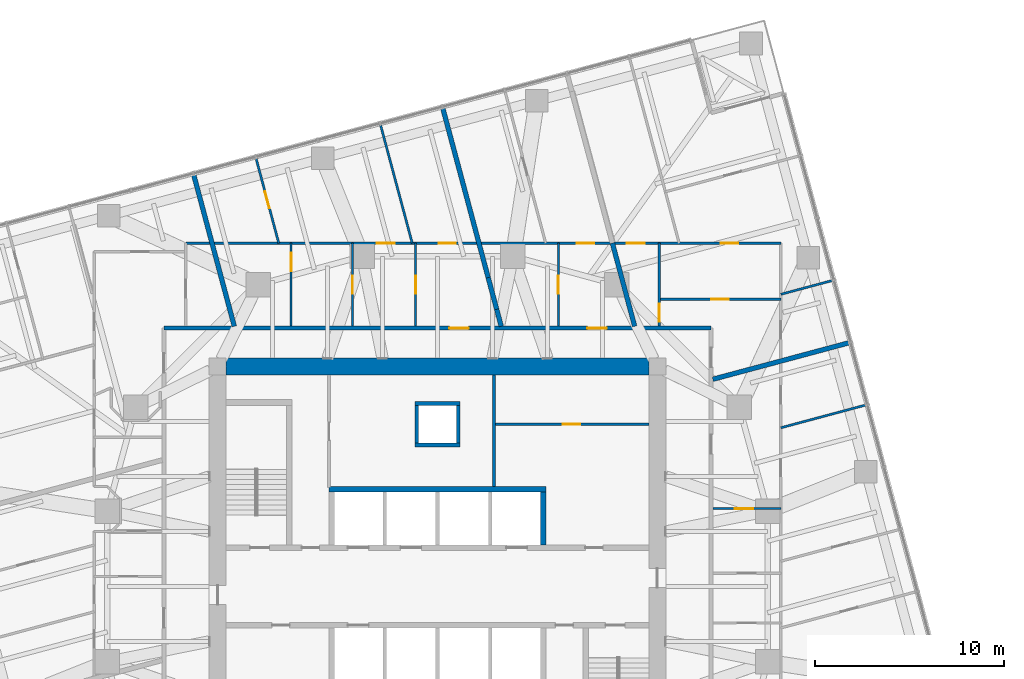
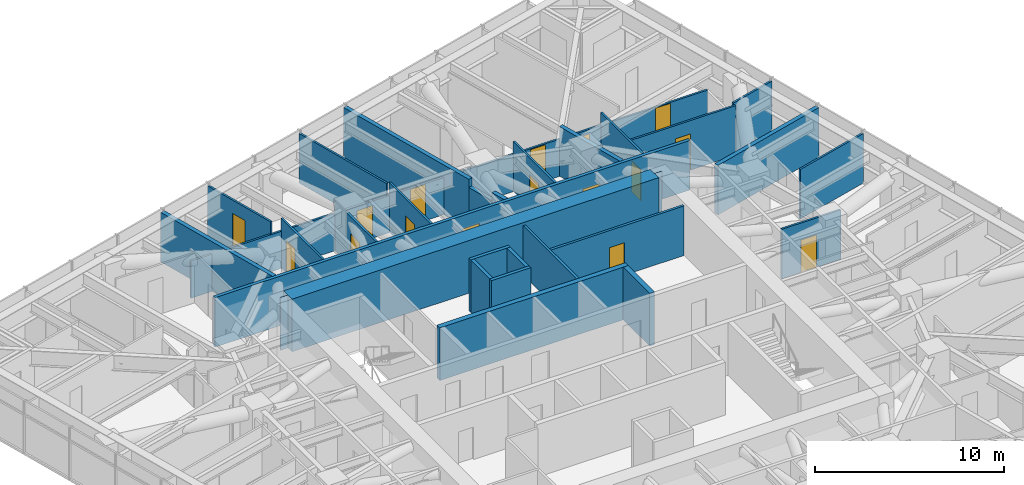
# One storey, part 15 of 18: 28 walls, 16 doors, 16 openings.
"""IFC4 building model written with IfcOpenShell, lengths in metres."""

from ifc_helpers import new_model, si_unit, direction, frame, frame_2d, origin, place, context, subcontext, project, spatial, polyline, rectangle, outline, extrude, material, layer, layer_set, type_object, element, fill, save


model = new_model("IFC4")

# Units and contexts
model_context = context("Model", 3, precision=1e-05, world=origin(), true_north=direction((0.0, 1.0)))
body_context = subcontext(model_context, "Body", "Model", "MODEL_VIEW")
ifc_project = project(units=[si_unit("LENGTHUNIT", "METRE"), si_unit("AREAUNIT", "SQUARE_METRE"), si_unit("VOLUMEUNIT", "CUBIC_METRE"), si_unit("PLANEANGLEUNIT", "RADIAN"), si_unit("MASSUNIT", "GRAM", prefix="KILO")], contexts=[model_context])

# Site, building, storey
site_placement = place(None, origin())
site = spatial("IfcSite", under=ifc_project, at=site_placement, CompositionType="ELEMENT")
building_placement = place(site_placement, origin())
building = spatial("IfcBuilding", under=site, at=building_placement, Name="Torsade Residences", CompositionType="ELEMENT")
storey_placement = place(building_placement, frame((0.0, 0.0, 135.39990234375)))
storey = spatial("IfcBuildingStorey", under=building, at=storey_placement, Name="L37", CompositionType="ELEMENT", Elevation=135.39990234375)

# Walls
ifc_material_1 = material(Name="Concrete 80 MPa", Category="concrete")
ifc_layer_1 = layer(ifc_material_1, 0.300048828125)
ifc_layer_set_1 = layer_set([ifc_layer_1], Name="Concrete 80 MPa")
wall_type_1 = type_object("IfcWallType", Name="CORE INTERNAL WALL 300", PredefinedType="SHEAR", material=ifc_layer_set_1)
wall_1_placement = place(storey_placement, frame((34.25, 35.14990234375, 0.0), z_axis=(0.0, 0.0, 1.0), x_axis=(1.0, 0.0, 0.0)))
element("IfcWall", 1, at=wall_1_placement, inside=storey, type_object=wall_type_1, Name="Core wall BN L37", PredefinedType="SHEAR", context=body_context, shape_type="SweptSolid", body=[
    extrude(rectangle(XDim=11.5, YDim=0.300048828125, at=frame_2d((5.75, 0.0))), origin(), (0.0, 0.0, 1.0), 3.400146484375),
])
wall_2_placement = place(storey_placement, frame((45.60009765625, 32.199951171875, 0.0), z_axis=(0.0, 0.0, 1.0), x_axis=(0.0, 1.0, 0.0)))
element("IfcWall", 2, at=wall_2_placement, inside=storey, type_object=wall_type_1, Name="Core wall DN4 L37", PredefinedType="SHEAR", context=body_context, shape_type="SweptSolid", body=[
    extrude(rectangle(XDim=2.800048828125, YDim=0.300048828125, at=frame_2d((1.39990234375, 0.0))), origin(), (0.0, 0.0, 1.0), 3.400146484375),
])
ifc_material_2 = material(Name="Concrete 80 MPa", Category="concrete")
ifc_layer_2 = layer(ifc_material_2, 0.89990234375)
ifc_layer_set_2 = layer_set([ifc_layer_2], Name="Concrete 80 MPa")
wall_type_2 = type_object("IfcWallType", Name="CORE WALL 900", PredefinedType="SHEAR", material=ifc_layer_set_2)
wall_3_placement = place(storey_placement, frame((28.800048828125, 41.64990234375, 0.0), z_axis=(0.0, 0.0, 1.0), x_axis=(1.0, 0.0, 0.0)))
element("IfcWall", 3, at=wall_3_placement, inside=storey, type_object=wall_type_2, Name="Core wall N L37", PredefinedType="SHEAR", context=body_context, shape_type="SweptSolid", body=[
    extrude(outline(polyline([(0.0, -0.449951171875), (22.39990234375, -0.449951171875), (22.39990234375, -0.02490234375), (22.849853515625, -0.02490234375), (22.849853515625, 0.02490234375), (22.39990234375, 0.02490234375), (22.39990234375, 0.449951171875), (0.0, 0.449951171875), (0.0, 0.02490234375), (-0.449951171875, 0.02490234375), (-0.449951171875, -0.02490234375), (0.0, -0.02490234375), (0.0, -0.449951171875)])), origin(), (0.0, 0.0, 1.0), 3.400146484375),
])

# Wall, openings, doors
ifc_material_3 = material(Name="Plasterboard on steel stud", Category="steel")
ifc_layer_3 = layer(ifc_material_3, 0.199951171875)
ifc_layer_set_3 = layer_set([ifc_layer_3], Name="Plasterboard on steel stud")
wall_type_3 = type_object("IfcWallType", Name="CORRIDOR WALL 200", PredefinedType="PARTITIONING", material=ifc_layer_set_3)
wall_4_placement = place(storey_placement, frame((54.5, 43.699951171875, 0.0), z_axis=(0.0, 0.0, 1.0), x_axis=(-1.0, 0.0, 0.0)))
wall_4 = element("IfcWall", 4, at=wall_4_placement, inside=storey, type_object=wall_type_3, Name="Corridor wall L37", PredefinedType="PARTITIONING", context=body_context, shape_type="SweptSolid", body=[
    extrude(rectangle(XDim=29.0, YDim=0.199951171875, at=frame_2d((14.5, 0.0))), origin(), (0.0, 0.0, 1.0), 3.2001953125),
])
opening_1_placement = place(wall_4_placement, frame((12.85205078125, 0.0, 0.0)))
opening_1 = element("IfcOpeningElement", 5, at=opening_1_placement, cuts=wall_4, Name="Opening D01", PredefinedType="OPENING", context=body_context, shape_type="SweptSolid", body=[
    extrude(rectangle(XDim=1.02001953125, YDim=2.340087890625, at=frame_2d((0.510009765625, 1.169921875))), frame((0.0, 0.10986328125, 0.0), z_axis=(0.0, -1.0, 0.0), x_axis=(1.0, 0.0, 0.0)), (0.0, 0.0, 1.0), 0.219970703125),
])
opening_2_placement = place(wall_4_placement, frame((5.529296875, 0.0, 0.0)))
opening_2 = element("IfcOpeningElement", 6, at=opening_2_placement, cuts=wall_4, Name="Opening D01", PredefinedType="OPENING", context=body_context, shape_type="SweptSolid", body=[
    extrude(rectangle(XDim=1.02001953125, YDim=2.340087890625, at=frame_2d((0.510009765625, 1.169921875))), frame((0.0, 0.10986328125, 0.0), z_axis=(0.0, -1.0, 0.0), x_axis=(1.0, 0.0, 0.0)), (0.0, 0.0, 1.0), 0.219970703125),
])
ifc_material_4 = material(Name="Solid-core timber fire door", Category="wood")
door_type_1 = type_object("IfcDoorType", Name="APARTMENT ENTRY DOOR 1020x2340", OperationType="NOTDEFINED", PredefinedType="DOOR", material=ifc_material_4)
door_1_placement = place(opening_1_placement, origin())
door_1 = element("IfcDoor", 7, at=door_1_placement, inside=storey, type_object=door_type_1, Name="Door Residential corridor to Kitchen and dining", OperationType="SINGLE_SWING_LEFT", OverallHeight=2.340087890625, OverallWidth=1.02001953125, PredefinedType="DOOR", context=body_context, shape_type="SweptSolid", body=[
    extrude(rectangle(XDim=1.02001953125, YDim=2.340087890625, at=frame_2d((0.510009765625, 1.169921875))), frame((0.0, 0.02490234375, 0.0), z_axis=(0.0, -1.0, 0.0), x_axis=(1.0, 0.0, 0.0)), (0.0, 0.0, 1.0), 0.050048828125),
])
fill(opening_1, door_1)
door_2_placement = place(opening_2_placement, origin())
door_2 = element("IfcDoor", 8, at=door_2_placement, inside=storey, type_object=door_type_1, Name="Door Residential corridor to Kitchen and dining", OperationType="SINGLE_SWING_LEFT", OverallHeight=2.340087890625, OverallWidth=1.02001953125, PredefinedType="DOOR", context=body_context, shape_type="SweptSolid", body=[
    extrude(rectangle(XDim=1.02001953125, YDim=2.340087890625, at=frame_2d((0.510009765625, 1.169921875))), frame((0.0, 0.02490234375, 0.0), z_axis=(0.0, -1.0, 0.0), x_axis=(1.0, 0.0, 0.0)), (0.0, 0.0, 1.0), 0.050048828125),
])
fill(opening_2, door_2)

# Wall, opening, door
ifc_material_5 = material(Name="Plasterboard on steel stud", Category="steel")
ifc_layer_4 = layer(ifc_material_5, 0.1201171875)
ifc_layer_set_4 = layer_set([ifc_layer_4], Name="Plasterboard on steel stud")
wall_type_4 = type_object("IfcWallType", Name="PARTITION 120", PredefinedType="PARTITIONING", material=ifc_layer_set_4)
wall_5_placement = place(storey_placement, frame((58.199951171875, 34.13134765625, 0.0), z_axis=(0.0, 0.0, 1.0), x_axis=(-1.0, 0.0, 0.0)))
wall_5 = element("IfcWall", 9, at=wall_5_placement, inside=storey, type_object=wall_type_4, Name="Partition L37", PredefinedType="PARTITIONING", context=body_context, shape_type="SweptSolid", body=[
    extrude(rectangle(XDim=3.599853515625, YDim=0.1201171875, at=frame_2d((1.7998046875, 0.0))), origin(), (0.0, 0.0, 1.0), 3.2001953125),
])
opening_3_placement = place(wall_5_placement, frame((1.469970703125, 0.0, 0.0)))
opening_3 = element("IfcOpeningElement", 10, at=opening_3_placement, cuts=wall_5, Name="Opening D05", PredefinedType="OPENING", context=body_context, shape_type="SweptSolid", body=[
    extrude(rectangle(XDim=0.9599609375, YDim=2.10009765625, at=frame_2d((0.47998046875, 1.050048828125))), frame((0.0, 0.070068359375, 0.0), z_axis=(0.0, -1.0, 0.0), x_axis=(1.0, 0.0, 0.0)), (0.0, 0.0, 1.0), 0.14013671875),
])
ifc_material_6 = material(Name="Hollow-core timber door in a steel cavity frame", Category="steel")
door_type_2 = type_object("IfcDoorType", Name="BATHROOM CAVITY SLIDING DOOR 960", OperationType="SLIDING_TO_LEFT", PredefinedType="DOOR", material=ifc_material_6)
door_3_placement = place(opening_3_placement, origin())
door_3 = element("IfcDoor", 11, at=door_3_placement, inside=storey, type_object=door_type_2, Name="Door Kitchen and dining to Ensuite", OperationType="SLIDING_TO_LEFT", OverallHeight=2.10009765625, OverallWidth=0.9599609375, PredefinedType="DOOR", context=body_context, shape_type="SweptSolid", body=[
    extrude(rectangle(XDim=0.9599609375, YDim=2.10009765625, at=frame_2d((0.47998046875, 1.050048828125))), frame((0.0, 0.02490234375, 0.0), z_axis=(0.0, -1.0, 0.0), x_axis=(1.0, 0.0, 0.0)), (0.0, 0.0, 1.0), 0.050048828125),
])
fill(opening_3, door_3)

# Wall
wall_6_placement = place(storey_placement, frame((58.199951171875, 38.413818359375, 0.0), z_axis=(0.0, 0.0, 1.0), x_axis=(0.965928353663, 0.258809612631, 0.0)))
element("IfcWall", 12, at=wall_6_placement, inside=storey, type_object=wall_type_4, Name="Partition L37", PredefinedType="PARTITIONING", context=body_context, shape_type="SweptSolid", body=[
    extrude(rectangle(XDim=4.702392578125, YDim=0.1201171875, at=frame_2d((2.35107421875, 0.0))), origin(), (0.0, 0.0, 1.0), 3.2001953125),
])

# Wall, opening, door
wall_7_placement = place(storey_placement, frame((51.7509765625, 45.22802734375, 0.0), z_axis=(0.0, 0.0, 1.0), x_axis=(1.0, 0.0, 0.0)))
wall_7 = element("IfcWall", 13, at=wall_7_placement, inside=storey, type_object=wall_type_4, Name="Partition L37", PredefinedType="PARTITIONING", context=body_context, shape_type="SweptSolid", body=[
    extrude(rectangle(XDim=6.448974609375, YDim=0.1201171875, at=frame_2d((3.224609375, 0.0))), origin(), (0.0, 0.0, 1.0), 3.2001953125),
])
opening_4_placement = place(wall_7_placement, frame((2.764404296875, 0.0, 0.0)))
opening_4 = element("IfcOpeningElement", 14, at=opening_4_placement, cuts=wall_7, Name="Opening D02", PredefinedType="OPENING", context=body_context, shape_type="SweptSolid", body=[
    extrude(rectangle(XDim=0.919921875, YDim=2.340087890625, at=frame_2d((0.4599609375, 1.169921875))), frame((0.0, 0.070068359375, 0.0), z_axis=(0.0, -1.0, 0.0), x_axis=(1.0, 0.0, 0.0)), (0.0, 0.0, 1.0), 0.14013671875),
])
ifc_material_7 = material(Name="Hollow-core timber door", Category="wood")
door_type_3 = type_object("IfcDoorType", Name="INTERNAL DOOR 920x2340", OperationType="NOTDEFINED", PredefinedType="DOOR", material=ifc_material_7)
door_4_placement = place(opening_4_placement, origin())
door_4 = element("IfcDoor", 15, at=door_4_placement, inside=storey, type_object=door_type_3, Name="Door Kitchen and dining to Scullery", OperationType="SINGLE_SWING_RIGHT", OverallHeight=2.340087890625, OverallWidth=0.919921875, PredefinedType="DOOR", context=body_context, shape_type="SweptSolid", body=[
    extrude(rectangle(XDim=0.919921875, YDim=2.340087890625, at=frame_2d((0.4599609375, 1.169921875))), frame((0.0, 0.02490234375, 0.0), z_axis=(0.0, -1.0, 0.0), x_axis=(1.0, 0.0, 0.0)), (0.0, 0.0, 1.0), 0.050048828125),
])
fill(opening_4, door_4)

wall_8_placement = place(storey_placement, frame((51.7509765625, 43.800048828125, 0.0), z_axis=(0.0, 0.0, 1.0), x_axis=(0.0, 1.0, 0.0)))
wall_8 = element("IfcWall", 16, at=wall_8_placement, inside=storey, type_object=wall_type_4, Name="Partition L37", PredefinedType="PARTITIONING", context=body_context, shape_type="SweptSolid", body=[
    extrude(rectangle(XDim=4.39990234375, YDim=0.1201171875, at=frame_2d((2.199951171875, 0.0))), origin(), (0.0, 0.0, 1.0), 3.2001953125),
])
opening_5_placement = place(wall_8_placement, frame((0.23388671875, 0.0, 0.0)))
opening_5 = element("IfcOpeningElement", 17, at=opening_5_placement, cuts=wall_8, Name="Opening D05N", PredefinedType="OPENING", context=body_context, shape_type="SweptSolid", body=[
    extrude(rectangle(XDim=0.9599609375, YDim=2.0, at=frame_2d((0.47998046875, 1.0))), frame((0.0, 0.070068359375, 0.0), z_axis=(0.0, -1.0, 0.0), x_axis=(1.0, 0.0, 0.0)), (0.0, 0.0, 1.0), 0.14013671875),
])
ifc_material_8 = material(Name="Hollow-core timber door in a steel cavity frame", Category="steel")
door_type_4 = type_object("IfcDoorType", Name="BATHROOM CAVITY SLIDING DOOR 960x2000", OperationType="SLIDING_TO_LEFT", PredefinedType="DOOR", material=ifc_material_8)
door_5_placement = place(opening_5_placement, origin())
door_5 = element("IfcDoor", 18, at=door_5_placement, inside=storey, type_object=door_type_4, Name="Door Kitchen and dining to Bathroom", OperationType="SLIDING_TO_LEFT", OverallHeight=2.0, OverallWidth=0.9599609375, PredefinedType="DOOR", context=body_context, shape_type="SweptSolid", body=[
    extrude(rectangle(XDim=0.9599609375, YDim=2.0, at=frame_2d((0.47998046875, 1.0))), frame((0.0, 0.02490234375, 0.0), z_axis=(0.0, -1.0, 0.0), x_axis=(1.0, 0.0, 0.0)), (0.0, 0.0, 1.0), 0.050048828125),
])
fill(opening_5, door_5)

# Wall, openings, doors
wall_9_placement = place(storey_placement, frame((26.65673828125, 48.199951171875, 0.0), z_axis=(0.0, 0.0, 1.0), x_axis=(1.0, 0.0, 0.0)))
wall_9 = element("IfcWall", 19, at=wall_9_placement, inside=storey, type_object=wall_type_4, Name="Partition L37", PredefinedType="PARTITIONING", context=body_context, shape_type="SweptSolid", body=[
    extrude(rectangle(XDim=31.543212890625, YDim=0.1201171875, at=frame_2d((15.771484375, 0.0))), origin(), (0.0, 0.0, 1.0), 2.399169921875),
])
opening_6_placement = place(wall_9_placement, frame((13.400390625, 0.0, 0.0)))
opening_6 = element("IfcOpeningElement", 20, at=opening_6_placement, cuts=wall_9, Name="Opening D02", PredefinedType="OPENING", context=body_context, shape_type="SweptSolid", body=[
    extrude(rectangle(XDim=0.919921875, YDim=2.340087890625, at=frame_2d((0.4599609375, 1.169921875))), frame((0.0, 0.070068359375, 0.0), z_axis=(0.0, -1.0, 0.0), x_axis=(1.0, 0.0, 0.0)), (0.0, 0.0, 1.0), 0.14013671875),
])
opening_7_placement = place(wall_9_placement, frame((20.723388671875, 0.0, 0.0)))
opening_7 = element("IfcOpeningElement", 21, at=opening_7_placement, cuts=wall_9, Name="Opening D02", PredefinedType="OPENING", context=body_context, shape_type="SweptSolid", body=[
    extrude(rectangle(XDim=0.919921875, YDim=2.340087890625, at=frame_2d((0.4599609375, 1.169921875))), frame((0.0, 0.070068359375, 0.0), z_axis=(0.0, -1.0, 0.0), x_axis=(1.0, 0.0, 0.0)), (0.0, 0.0, 1.0), 0.14013671875),
])
opening_8_placement = place(wall_9_placement, frame((10.11669921875, 0.0, 0.0)))
opening_8 = element("IfcOpeningElement", 22, at=opening_8_placement, cuts=wall_9, Name="Opening D05", PredefinedType="OPENING", context=body_context, shape_type="SweptSolid", body=[
    extrude(rectangle(XDim=0.9599609375, YDim=2.10009765625, at=frame_2d((0.47998046875, 1.050048828125))), frame((0.0, 0.070068359375, 0.0), z_axis=(0.0, -1.0, 0.0), x_axis=(1.0, 0.0, 0.0)), (0.0, 0.0, 1.0), 0.14013671875),
])
opening_9_placement = place(wall_9_placement, frame((28.362060546875, 0.0, 0.0)))
opening_9 = element("IfcOpeningElement", 23, at=opening_9_placement, cuts=wall_9, Name="Opening D02", PredefinedType="OPENING", context=body_context, shape_type="SweptSolid", body=[
    extrude(rectangle(XDim=0.919921875, YDim=2.340087890625, at=frame_2d((0.4599609375, 1.169921875))), frame((0.0, 0.070068359375, 0.0), z_axis=(0.0, -1.0, 0.0), x_axis=(1.0, 0.0, 0.0)), (0.0, 0.0, 1.0), 0.14013671875),
])
opening_10_placement = place(wall_9_placement, frame((23.374755859375, 0.0, 0.0)))
opening_10 = element("IfcOpeningElement", 24, at=opening_10_placement, cuts=wall_9, Name="Opening D05", PredefinedType="OPENING", context=body_context, shape_type="SweptSolid", body=[
    extrude(rectangle(XDim=0.9599609375, YDim=2.10009765625, at=frame_2d((0.47998046875, 1.050048828125))), frame((0.0, 0.070068359375, 0.0), z_axis=(0.0, -1.0, 0.0), x_axis=(1.0, 0.0, 0.0)), (0.0, 0.0, 1.0), 0.14013671875),
])
door_6_placement = place(opening_8_placement, origin())
door_6 = element("IfcDoor", 25, at=door_6_placement, inside=storey, type_object=door_type_2, Name="Door Bathroom to Living room", OperationType="SLIDING_TO_LEFT", OverallHeight=2.10009765625, OverallWidth=0.9599609375, PredefinedType="DOOR", context=body_context, shape_type="SweptSolid", body=[
    extrude(rectangle(XDim=0.9599609375, YDim=2.10009765625, at=frame_2d((0.47998046875, 1.050048828125))), frame((0.0, 0.02490234375, 0.0), z_axis=(0.0, -1.0, 0.0), x_axis=(1.0, 0.0, 0.0)), (0.0, 0.0, 1.0), 0.050048828125),
])
fill(opening_8, door_6)
door_7_placement = place(opening_10_placement, origin())
door_7 = element("IfcDoor", 26, at=door_7_placement, inside=storey, type_object=door_type_2, Name="Door Bathroom to Bedroom 2", OperationType="SLIDING_TO_LEFT", OverallHeight=2.10009765625, OverallWidth=0.9599609375, PredefinedType="DOOR", context=body_context, shape_type="SweptSolid", body=[
    extrude(rectangle(XDim=0.9599609375, YDim=2.10009765625, at=frame_2d((0.47998046875, 1.050048828125))), frame((0.0, 0.02490234375, 0.0), z_axis=(0.0, -1.0, 0.0), x_axis=(1.0, 0.0, 0.0)), (0.0, 0.0, 1.0), 0.050048828125),
])
fill(opening_10, door_7)
door_8_placement = place(opening_6_placement, origin())
door_8 = element("IfcDoor", 27, at=door_8_placement, inside=storey, type_object=door_type_3, Name="Door Kitchen and dining to Bedroom 1", OperationType="SINGLE_SWING_RIGHT", OverallHeight=2.340087890625, OverallWidth=0.919921875, PredefinedType="DOOR", context=body_context, shape_type="SweptSolid", body=[
    extrude(rectangle(XDim=0.919921875, YDim=2.340087890625, at=frame_2d((0.4599609375, 1.169921875))), frame((0.0, 0.02490234375, 0.0), z_axis=(0.0, -1.0, 0.0), x_axis=(1.0, 0.0, 0.0)), (0.0, 0.0, 1.0), 0.050048828125),
])
fill(opening_6, door_8)
door_9_placement = place(opening_7_placement, origin())
door_9 = element("IfcDoor", 28, at=door_9_placement, inside=storey, type_object=door_type_3, Name="Door Kitchen and dining to Living room", OperationType="SINGLE_SWING_RIGHT", OverallHeight=2.340087890625, OverallWidth=0.919921875, PredefinedType="DOOR", context=body_context, shape_type="SweptSolid", body=[
    extrude(rectangle(XDim=0.919921875, YDim=2.340087890625, at=frame_2d((0.4599609375, 1.169921875))), frame((0.0, 0.02490234375, 0.0), z_axis=(0.0, -1.0, 0.0), x_axis=(1.0, 0.0, 0.0)), (0.0, 0.0, 1.0), 0.050048828125),
])
fill(opening_7, door_9)
door_10_placement = place(opening_9_placement, origin())
door_10 = element("IfcDoor", 29, at=door_10_placement, inside=storey, type_object=door_type_3, Name="Door Scullery to Bedroom 1", OperationType="SINGLE_SWING_LEFT", OverallHeight=2.340087890625, OverallWidth=0.919921875, PredefinedType="DOOR", context=body_context, shape_type="SweptSolid", body=[
    extrude(rectangle(XDim=0.919921875, YDim=2.340087890625, at=frame_2d((0.4599609375, 1.169921875))), frame((0.0, 0.02490234375, 0.0), z_axis=(0.0, -1.0, 0.0), x_axis=(1.0, 0.0, 0.0)), (0.0, 0.0, 1.0), 0.050048828125),
])
fill(opening_9, door_10)

# Wall
wall_10_placement = place(storey_placement, frame((60.9736328125, 46.2314453125, 0.0), z_axis=(0.0, 0.0, 1.0), x_axis=(-0.965929456086, -0.258805498136, 0.0)))
element("IfcWall", 30, at=wall_10_placement, inside=storey, type_object=wall_type_4, Name="Partition L37", PredefinedType="PARTITIONING", context=body_context, shape_type="SweptSolid", body=[
    extrude(rectangle(XDim=2.87158203125, YDim=0.1201171875, at=frame_2d((1.435791015625, 0.0))), origin(), (0.0, 0.0, 1.0), 3.2001953125),
])

# Wall, opening, door
wall_11_placement = place(storey_placement, frame((46.408203125, 43.800048828125, 0.0), z_axis=(0.0, 0.0, 1.0), x_axis=(0.0, 1.0, 0.0)))
wall_11 = element("IfcWall", 31, at=wall_11_placement, inside=storey, type_object=wall_type_4, Name="Partition L37", PredefinedType="PARTITIONING", context=body_context, shape_type="SweptSolid", body=[
    extrude(rectangle(XDim=4.39990234375, YDim=0.1201171875, at=frame_2d((2.199951171875, 0.0))), origin(), (0.0, 0.0, 1.0), 3.2001953125),
])
opening_11_placement = place(wall_11_placement, frame((1.719970703125, 0.0, 0.0)))
opening_11 = element("IfcOpeningElement", 32, at=opening_11_placement, cuts=wall_11, Name="Opening D05", PredefinedType="OPENING", context=body_context, shape_type="SweptSolid", body=[
    extrude(rectangle(XDim=0.9599609375, YDim=2.10009765625, at=frame_2d((0.47998046875, 1.050048828125))), frame((0.0, 0.070068359375, 0.0), z_axis=(0.0, -1.0, 0.0), x_axis=(1.0, 0.0, 0.0)), (0.0, 0.0, 1.0), 0.14013671875),
])
door_11_placement = place(opening_11_placement, origin())
door_11 = element("IfcDoor", 33, at=door_11_placement, inside=storey, type_object=door_type_2, Name="Door Kitchen and dining to Bathroom", OperationType="SLIDING_TO_LEFT", OverallHeight=2.10009765625, OverallWidth=0.9599609375, PredefinedType="DOOR", context=body_context, shape_type="SweptSolid", body=[
    extrude(rectangle(XDim=0.9599609375, YDim=2.10009765625, at=frame_2d((0.47998046875, 1.050048828125))), frame((0.0, 0.02490234375, 0.0), z_axis=(0.0, -1.0, 0.0), x_axis=(1.0, 0.0, 0.0)), (0.0, 0.0, 1.0), 0.050048828125),
])
fill(opening_11, door_11)

wall_12_placement = place(storey_placement, frame((38.8369140625, 43.800048828125, 0.0), z_axis=(0.0, 0.0, 1.0), x_axis=(0.0, 1.0, 0.0)))
wall_12 = element("IfcWall", 34, at=wall_12_placement, inside=storey, type_object=wall_type_4, Name="Partition L37", PredefinedType="PARTITIONING", context=body_context, shape_type="SweptSolid", body=[
    extrude(rectangle(XDim=4.39990234375, YDim=0.1201171875, at=frame_2d((2.199951171875, 0.0))), origin(), (0.0, 0.0, 1.0), 3.2001953125),
])
opening_12_placement = place(wall_12_placement, frame((1.719970703125, 0.0, 0.0)))
opening_12 = element("IfcOpeningElement", 35, at=opening_12_placement, cuts=wall_12, Name="Opening D05", PredefinedType="OPENING", context=body_context, shape_type="SweptSolid", body=[
    extrude(rectangle(XDim=0.9599609375, YDim=2.10009765625, at=frame_2d((0.47998046875, 1.050048828125))), frame((0.0, 0.070068359375, 0.0), z_axis=(0.0, -1.0, 0.0), x_axis=(1.0, 0.0, 0.0)), (0.0, 0.0, 1.0), 0.14013671875),
])
door_12_placement = place(opening_12_placement, origin())
door_12 = element("IfcDoor", 36, at=door_12_placement, inside=storey, type_object=door_type_2, Name="Door Kitchen and dining to Bathroom", OperationType="SLIDING_TO_LEFT", OverallHeight=2.10009765625, OverallWidth=0.9599609375, PredefinedType="DOOR", context=body_context, shape_type="SweptSolid", body=[
    extrude(rectangle(XDim=0.9599609375, YDim=2.10009765625, at=frame_2d((0.47998046875, 1.050048828125))), frame((0.0, 0.02490234375, 0.0), z_axis=(0.0, -1.0, 0.0), x_axis=(1.0, 0.0, 0.0)), (0.0, 0.0, 1.0), 0.050048828125),
])
fill(opening_12, door_12)

wall_13_placement = place(storey_placement, frame((35.494384765625, 43.800048828125, 0.0), z_axis=(0.0, 0.0, 1.0), x_axis=(0.0, 1.0, 0.0)))
wall_13 = element("IfcWall", 37, at=wall_13_placement, inside=storey, type_object=wall_type_4, Name="Partition L37", PredefinedType="PARTITIONING", context=body_context, shape_type="SweptSolid", body=[
    extrude(rectangle(XDim=4.39990234375, YDim=0.1201171875, at=frame_2d((2.199951171875, 0.0))), origin(), (0.0, 0.0, 1.0), 3.2001953125),
])
opening_13_placement = place(wall_13_placement, frame((1.719970703125, 0.0, 0.0)))
opening_13 = element("IfcOpeningElement", 38, at=opening_13_placement, cuts=wall_13, Name="Opening D05", PredefinedType="OPENING", context=body_context, shape_type="SweptSolid", body=[
    extrude(rectangle(XDim=0.9599609375, YDim=2.10009765625, at=frame_2d((0.47998046875, 1.050048828125))), frame((0.0, 0.070068359375, 0.0), z_axis=(0.0, -1.0, 0.0), x_axis=(1.0, 0.0, 0.0)), (0.0, 0.0, 1.0), 0.14013671875),
])
door_13_placement = place(opening_13_placement, origin())
door_13 = element("IfcDoor", 39, at=door_13_placement, inside=storey, type_object=door_type_2, Name="Door Bathroom to Ensuite", OperationType="SLIDING_TO_LEFT", OverallHeight=2.10009765625, OverallWidth=0.9599609375, PredefinedType="DOOR", context=body_context, shape_type="SweptSolid", body=[
    extrude(rectangle(XDim=0.9599609375, YDim=2.10009765625, at=frame_2d((0.47998046875, 1.050048828125))), frame((0.0, 0.02490234375, 0.0), z_axis=(0.0, -1.0, 0.0), x_axis=(1.0, 0.0, 0.0)), (0.0, 0.0, 1.0), 0.050048828125),
])
fill(opening_13, door_13)

wall_14_placement = place(storey_placement, frame((32.238525390625, 43.800048828125, 0.0), z_axis=(0.0, 0.0, 1.0), x_axis=(0.0, 1.0, 0.0)))
wall_14 = element("IfcWall", 40, at=wall_14_placement, inside=storey, type_object=wall_type_4, Name="Partition L37", PredefinedType="PARTITIONING", context=body_context, shape_type="SweptSolid", body=[
    extrude(rectangle(XDim=4.39990234375, YDim=0.1201171875, at=frame_2d((2.199951171875, 0.0))), origin(), (0.0, 0.0, 1.0), 3.2001953125),
])
opening_14_placement = place(wall_14_placement, frame((2.919921875, 0.0, 0.0)))
opening_14 = element("IfcOpeningElement", 41, at=opening_14_placement, cuts=wall_14, Name="Opening D05", PredefinedType="OPENING", context=body_context, shape_type="SweptSolid", body=[
    extrude(rectangle(XDim=0.9599609375, YDim=2.10009765625, at=frame_2d((0.47998046875, 1.050048828125))), frame((0.0, 0.070068359375, 0.0), z_axis=(0.0, -1.0, 0.0), x_axis=(1.0, 0.0, 0.0)), (0.0, 0.0, 1.0), 0.14013671875),
])
door_14_placement = place(opening_14_placement, origin())
door_14 = element("IfcDoor", 42, at=door_14_placement, inside=storey, type_object=door_type_2, Name="Door Ensuite to Laundry", OperationType="SLIDING_TO_LEFT", OverallHeight=2.10009765625, OverallWidth=0.9599609375, PredefinedType="DOOR", context=body_context, shape_type="SweptSolid", body=[
    extrude(rectangle(XDim=0.9599609375, YDim=2.10009765625, at=frame_2d((0.47998046875, 1.050048828125))), frame((0.0, 0.02490234375, 0.0), z_axis=(0.0, -1.0, 0.0), x_axis=(1.0, 0.0, 0.0)), (0.0, 0.0, 1.0), 0.050048828125),
])
fill(opening_14, door_14)

# Wall
wall_15_placement = place(storey_placement, frame((36.969482421875, 54.5107421875, 0.0), z_axis=(0.0, 0.0, 1.0), x_axis=(0.258846285554, -0.96591852682, 0.0)))
element("IfcWall", 43, at=wall_15_placement, inside=storey, type_object=wall_type_4, Name="Partition L37", PredefinedType="PARTITIONING", context=body_context, shape_type="SweptSolid", body=[
    extrude(rectangle(XDim=6.533447265625, YDim=0.1201171875, at=frame_2d((3.2666015625, 0.0))), origin(), (0.0, 0.0, 1.0), 3.2001953125),
])

# Wall, opening, door
wall_16_placement = place(storey_placement, frame((31.586181640625, 48.199951171875, 0.0), z_axis=(0.0, 0.0, 1.0), x_axis=(-0.258809612631, 0.965928353663, 0.0)))
wall_16 = element("IfcWall", 44, at=wall_16_placement, inside=storey, type_object=wall_type_4, Name="Partition L37", PredefinedType="PARTITIONING", context=body_context, shape_type="SweptSolid", body=[
    extrude(rectangle(XDim=4.702392578125, YDim=0.1201171875, at=frame_2d((2.35107421875, 0.0))), origin(), (0.0, 0.0, 1.0), 3.2001953125),
])
opening_15_placement = place(wall_16_placement, frame((1.9111328125, 0.0, 0.0)))
opening_15 = element("IfcOpeningElement", 45, at=opening_15_placement, cuts=wall_16, Name="Opening D02", PredefinedType="OPENING", context=body_context, shape_type="SweptSolid", body=[
    extrude(rectangle(XDim=0.919921875, YDim=2.340087890625, at=frame_2d((0.4599609375, 1.169921875))), frame((0.0, 0.070068359375, 0.0), z_axis=(0.0, -1.0, 0.0), x_axis=(1.0, 0.0, 0.0)), (0.0, 0.0, 1.0), 0.14013671875),
])
door_15_placement = place(opening_15_placement, origin())
door_15 = element("IfcDoor", 46, at=door_15_placement, inside=storey, type_object=door_type_3, Name="Door Living room to Bedroom 2", OperationType="SINGLE_SWING_LEFT", OverallHeight=2.340087890625, OverallWidth=0.919921875, PredefinedType="DOOR", context=body_context, shape_type="SweptSolid", body=[
    extrude(rectangle(XDim=0.919921875, YDim=2.340087890625, at=frame_2d((0.4599609375, 1.169921875))), frame((0.0, 0.02490234375, 0.0), z_axis=(0.0, -1.0, 0.0), x_axis=(1.0, 0.0, 0.0)), (0.0, 0.0, 1.0), 0.050048828125),
])
fill(opening_15, door_15)

# Walls
ifc_material_9 = material(Name="Masonry-lined stud party wall", Category="masonry")
ifc_layer_5 = layer(ifc_material_9, 0.25)
ifc_layer_set_5 = layer_set([ifc_layer_5], Name="Masonry-lined stud party wall")
wall_type_5 = type_object("IfcWallType", Name="PARTY WALL 250", PredefinedType="PARTITIONING", material=ifc_layer_set_5)
wall_17_placement = place(storey_placement, frame((61.896484375, 42.941650390625, 0.0), z_axis=(0.0, 0.0, 1.0), x_axis=(-0.965924988656, -0.258822171171, 0.0)))
element("IfcWall", 47, at=wall_17_placement, inside=storey, type_object=wall_type_5, Name="Party wall L37", PredefinedType="PARTITIONING", context=body_context, shape_type="SweptSolid", body=[
    extrude(rectangle(XDim=7.560302734375, YDim=0.25, at=frame_2d((3.7802734375, 0.0))), origin(), (0.0, 0.0, 1.0), 3.2001953125),
])
wall_18_placement = place(storey_placement, frame((40.259521484375, 55.433837890625, 0.0), z_axis=(0.0, 0.0, 1.0), x_axis=(0.258809371168, -0.96592841836, 0.0)))
element("IfcWall", 48, at=wall_18_placement, inside=storey, type_object=wall_type_5, Name="Party wall L37", PredefinedType="PARTITIONING", context=body_context, shape_type="SweptSolid", body=[
    extrude(rectangle(XDim=9.38037109375, YDim=0.25, at=frame_2d((4.690185546875, 0.0))), origin(), (0.0, 0.0, 1.0), 3.2001953125),
])
wall_19_placement = place(storey_placement, frame((42.687255859375, 46.373046875, 0.0), z_axis=(0.0, 0.0, 1.0), x_axis=(0.258771138461, -0.965938661562, 0.0)))
element("IfcWall", 49, at=wall_19_placement, inside=storey, type_object=wall_type_5, Name="Party wall L37", PredefinedType="PARTITIONING", context=body_context, shape_type="SweptSolid", body=[
    extrude(rectangle(XDim=1.74072265625, YDim=0.25, at=frame_2d((0.870361328125, 0.0))), origin(), (0.0, 0.0, 1.0), 2.672119140625),
])
wall_20_placement = place(storey_placement, frame((43.1376953125, 44.691650390625, 0.0), z_axis=(0.0, 0.0, 1.0), x_axis=(0.258937357067, -0.965894116928, 0.0)))
element("IfcWall", 50, at=wall_20_placement, inside=storey, type_object=wall_type_5, Name="Party wall L37", PredefinedType="PARTITIONING", context=body_context, shape_type="SweptSolid", body=[
    extrude(rectangle(XDim=0.9296875, YDim=0.25, at=frame_2d((0.46484375, 0.0))), origin(), (0.0, 0.0, 1.0), 3.2001953125),
])
wall_21_placement = place(storey_placement, frame((27.058349609375, 51.896484375, 0.0), z_axis=(0.0, 0.0, 1.0), x_axis=(0.258819975199, -0.96592557707, 0.0)))
element("IfcWall", 51, at=wall_21_placement, inside=storey, type_object=wall_type_5, Name="Party wall L37", PredefinedType="PARTITIONING", context=body_context, shape_type="SweptSolid", body=[
    extrude(rectangle(XDim=8.388671875, YDim=0.25, at=frame_2d((4.1943359375, 0.0))), origin(), (0.0, 0.0, 1.0), 3.2001953125),
])
wall_22_placement = place(storey_placement, frame((49.270751953125, 48.204833984375, 0.0), z_axis=(0.0, 0.0, 1.0), x_axis=(0.258853660469, -0.965916550465, 0.0)))
element("IfcWall", 52, at=wall_22_placement, inside=storey, type_object=wall_type_5, Name="Party wall L37", PredefinedType="PARTITIONING", context=body_context, shape_type="SweptSolid", body=[
    extrude(rectangle(XDim=4.56689453125, YDim=0.25, at=frame_2d((2.283447265625, 0.0))), origin(), (0.0, 0.0, 1.0), 3.2001953125),
])
ifc_material_10 = material(Name="Reinforced blockwork", Category="masonry")
ifc_layer_6 = layer(ifc_material_10, 0.199951171875)
ifc_layer_set_6 = layer_set([ifc_layer_6], Name="Reinforced blockwork")
wall_type_6 = type_object("IfcWallType", Name="RISER SHAFT WALL 200", PredefinedType="SOLIDWALL", material=ifc_layer_set_6)
for number, where, z_axis, x_axis, name in (
    (53, (38.89990234375, 37.60009765625, 0.0), (0.0, 0.0, 1.0), (0.0, 1.0, 0.0), "Core wall RS1a L37"),
    (54, (41.10009765625, 37.60009765625, 0.0), (0.0, 0.0, 1.0), (0.0, 1.0, 0.0), "Core wall RS1b L37"),
):
    element("IfcWall", number, at=place(storey_placement, frame(where, z_axis=z_axis, x_axis=x_axis)), inside=storey, type_object=wall_type_6, Name=name, PredefinedType="SOLIDWALL", context=body_context, shape_type="SweptSolid", body=[
        extrude(rectangle(XDim=2.0, YDim=0.199951171875, at=frame_2d((1.0, 0.0))), origin(), (0.0, 0.0, 1.0), 3.400146484375),
    ])
for number, where, z_axis, x_axis, name in (
    (55, (38.800048828125, 37.5, 0.0), (0.0, 0.0, 1.0), (1.0, 0.0, 0.0), "Core wall RS1c L37"),
    (56, (38.800048828125, 39.699951171875, 0.0), (0.0, 0.0, 1.0), (1.0, 0.0, 0.0), "Core wall RS1d L37"),
):
    element("IfcWall", number, at=place(storey_placement, frame(where, z_axis=z_axis, x_axis=x_axis)), inside=storey, type_object=wall_type_6, Name=name, PredefinedType="SOLIDWALL", context=body_context, shape_type="SweptSolid", body=[
        extrude(rectangle(XDim=2.39990234375, YDim=0.199951171875, at=frame_2d((1.199951171875, 0.0))), origin(), (0.0, 0.0, 1.0), 3.400146484375),
    ])
ifc_material_11 = material(Name="Reinforced blockwork", Category="masonry")
ifc_layer_7 = layer(ifc_material_11, 0.14990234375)
ifc_layer_set_7 = layer_set([ifc_layer_7], Name="Reinforced blockwork")
wall_type_7 = type_object("IfcWallType", Name="SERVICE ROOM WALL 150", PredefinedType="SOLIDWALL", material=ifc_layer_set_7)
wall_23_placement = place(storey_placement, frame((43.0, 41.199951171875, 0.0), z_axis=(0.0, 0.0, 1.0), x_axis=(0.0, -1.0, 0.0)))
element("IfcWall", 57, at=wall_23_placement, inside=storey, type_object=wall_type_7, Name="Service room wall L37", PredefinedType="SOLIDWALL", context=body_context, shape_type="SweptSolid", body=[
    extrude(rectangle(XDim=5.89990234375, YDim=0.14990234375, at=frame_2d((2.949951171875, 0.0))), origin(), (0.0, 0.0, 1.0), 3.2001953125),
])

# Wall, opening, door
wall_24_placement = place(storey_placement, frame((43.0, 38.60009765625, 0.0), z_axis=(0.0, 0.0, 1.0), x_axis=(1.0, 0.0, 0.0)))
wall_24 = element("IfcWall", 58, at=wall_24_placement, inside=storey, type_object=wall_type_7, Name="Service room wall L37", PredefinedType="SOLIDWALL", context=body_context, shape_type="SweptSolid", body=[
    extrude(rectangle(XDim=8.199951171875, YDim=0.14990234375, at=frame_2d((4.10009765625, 0.0))), origin(), (0.0, 0.0, 1.0), 3.2001953125),
])
opening_16_placement = place(wall_24_placement, frame((3.639892578125, 0.0, 0.0)))
opening_16 = element("IfcOpeningElement", 59, at=opening_16_placement, cuts=wall_24, Name="Opening D06", PredefinedType="OPENING", context=body_context, shape_type="SweptSolid", body=[
    extrude(rectangle(XDim=0.919921875, YDim=2.10009765625, at=frame_2d((0.4599609375, 1.050048828125))), frame((0.0, 0.0849609375, 0.0), z_axis=(0.0, -1.0, 0.0), x_axis=(1.0, 0.0, 0.0)), (0.0, 0.0, 1.0), 0.169921875),
])
ifc_material_12 = material(Name="Steel-framed fire door", Category="steel")
door_type_5 = type_object("IfcDoorType", Name="FIRE DOOR 920", OperationType="NOTDEFINED", PredefinedType="DOOR", material=ifc_material_12)
door_16_placement = place(opening_16_placement, origin())
door_16 = element("IfcDoor", 60, at=door_16_placement, inside=storey, type_object=door_type_5, Name="Door Refuse room to Recycling room", OperationType="SINGLE_SWING_LEFT", OverallHeight=2.10009765625, OverallWidth=0.919921875, PredefinedType="DOOR", context=body_context, shape_type="SweptSolid", body=[
    extrude(rectangle(XDim=0.919921875, YDim=2.10009765625, at=frame_2d((0.4599609375, 1.050048828125))), frame((0.0, 0.02490234375, 0.0), z_axis=(0.0, -1.0, 0.0), x_axis=(1.0, 0.0, 0.0)), (0.0, 0.0, 1.0), 0.050048828125),
])
fill(opening_16, door_16)

save(model, "model.ifc")
